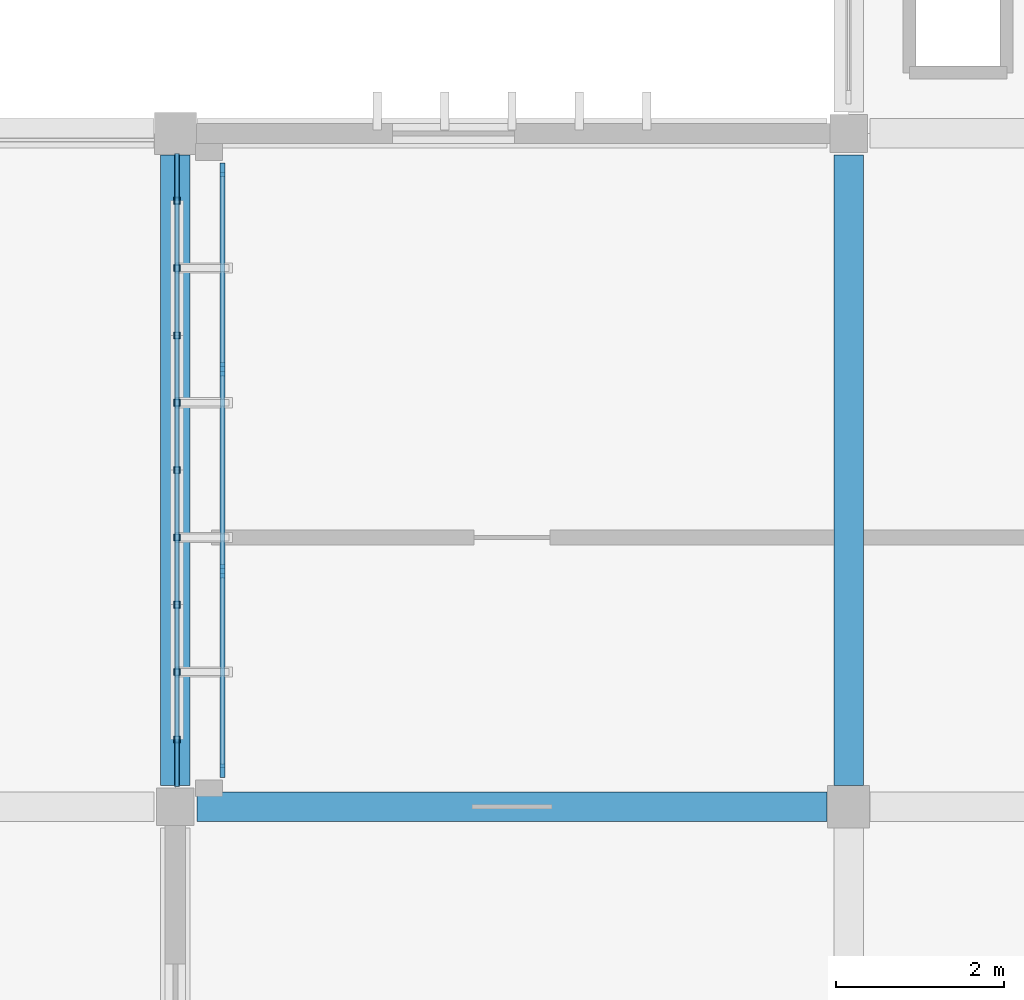
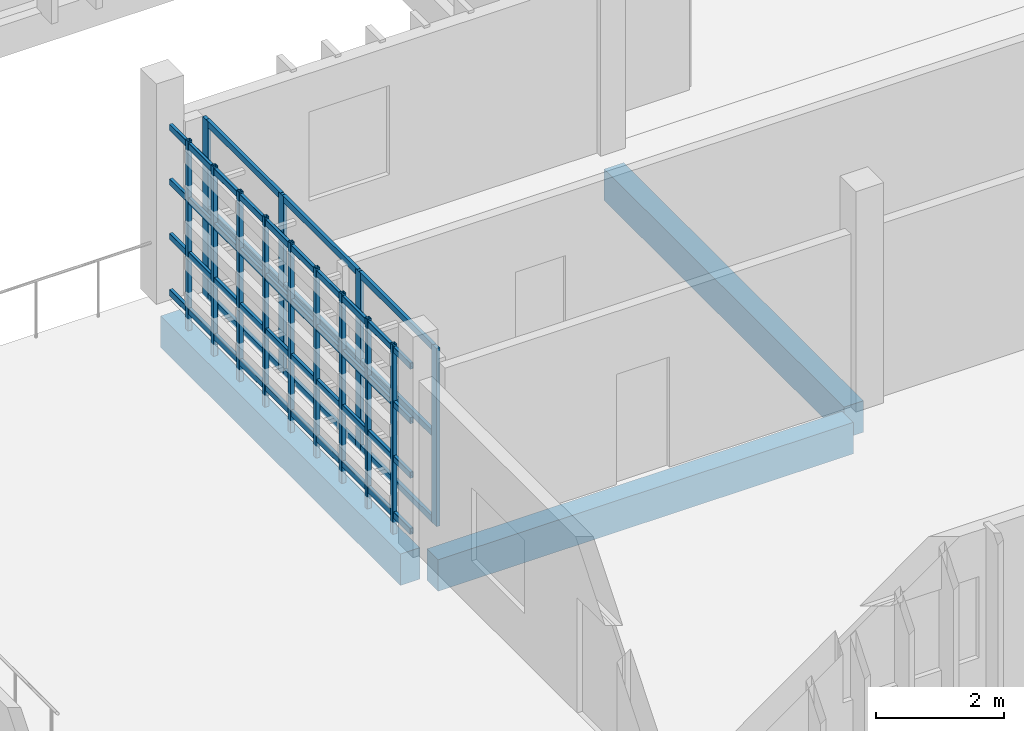
# One storey, part 4 of 48: 26 members, 3 beams, 1 element without a shape of its own.
"""IFC4 building model written with IfcOpenShell, lengths in metres."""

import ifcopenshell
import ifcopenshell.guid

model = None  # the IFC model being written
_history = None  # IfcOwnerHistory: only IFC2X3 demands one
_inside = {}  # id of a spatial element -> (the spatial element, [elements in it])
_under = {}  # id of a project, library or spatial element -> (it, [spatial elements below it])
_declared = {}  # id of a project -> (the project, [libraries it declares])
_typed = {}  # id of a type object -> (the type object, [elements of that type])
_made_of = {}  # id of a material, layer set ... -> (it, [elements and type objects made of it])


def new_model(schema):
    """Start an empty IFC model of exactly this schema.

    Asked for "IFC4X3", IfcOpenShell would pick the latest addendum, in which some entities
    have other attributes; the version numbers below select the first issue.
    IFC2X3 requires an IfcOwnerHistory on every rooted entity: one is made here for all.
    """
    global model, _history
    if schema == "IFC4X3":
        model = ifcopenshell.file(schema_version=(4, 3, 0, 0))
    else:
        model = ifcopenshell.file(schema=schema)
    _inside.clear()
    _under.clear()
    _declared.clear()
    _typed.clear()
    _made_of.clear()
    _history = None
    if model.schema == "IFC2X3":
        org = make("IfcOrganization", Name="unknown")
        user = make(
            "IfcPersonAndOrganization",
            ThePerson=make("IfcPerson", FamilyName="unknown"),
            TheOrganization=org,
        )
        app = make(
            "IfcApplication",
            ApplicationDeveloper=org,
            Version="unknown",
            ApplicationFullName="unknown",
            ApplicationIdentifier="unknown",
        )
        _history = make(
            "IfcOwnerHistory",
            OwningUser=user,
            OwningApplication=app,
            ChangeAction="ADDED",
            CreationDate=0,
        )
    return model


def make(cls, **values):
    """One entity of the class cls with the attributes given. An attribute that is None is left unset."""
    return model.create_entity(
        cls, **{name: value for name, value in values.items() if value is not None}
    )


def rooted(cls, **values):
    """An entity with a GlobalId (a new one), such as an element, a storey or a relation."""
    return make(cls, GlobalId=ifcopenshell.guid.new(), OwnerHistory=_history, **values)


def si_unit(unit_type, name, prefix=None):
    """IfcSIUnit, for example si_unit("LENGTHUNIT", "METRE", prefix="MILLI")."""
    return make("IfcSIUnit", UnitType=unit_type, Prefix=prefix, Name=name)


def assignment(units):
    """IfcUnitAssignment: the units of a project."""
    return None if units is None else make("IfcUnitAssignment", Units=units)


def point(xyz):
    """IfcCartesianPoint."""
    return None if xyz is None else make("IfcCartesianPoint", Coordinates=xyz)


def direction(xyz):
    """IfcDirection."""
    return None if xyz is None else make("IfcDirection", DirectionRatios=xyz)


def frame(location, z_axis=None, x_axis=None):
    """IfcAxis2Placement3D, a coordinate frame: its origin and axes. An axis left out is left unset."""
    return make(
        "IfcAxis2Placement3D",
        Location=point(location),
        Axis=direction(z_axis),
        RefDirection=direction(x_axis),
    )


def frame_2d(location, x_axis=None):
    """IfcAxis2Placement2D, a coordinate frame in the plane: its origin and x axis."""
    return make(
        "IfcAxis2Placement2D", Location=point(location), RefDirection=direction(x_axis)
    )


def origin():
    """The frame at (0, 0, 0) with its axes left unset."""
    return frame((0.0, 0.0, 0.0))


def origin_2d():
    """The frame at (0, 0) in the plane with its x axis left unset."""
    return frame_2d((0.0, 0.0))


def place(relative_to, where):
    """IfcLocalPlacement: puts the frame where relative to a parent placement (None: the world)."""
    return make(
        "IfcLocalPlacement", PlacementRelTo=relative_to, RelativePlacement=where
    )


def context(
    kind, dimensions, precision=None, world=None, true_north=None, identifier=None
):
    """IfcGeometricRepresentationContext, for example the 3D "Model" context."""
    return make(
        "IfcGeometricRepresentationContext",
        ContextIdentifier=identifier,
        ContextType=kind,
        CoordinateSpaceDimension=dimensions,
        Precision=precision,
        WorldCoordinateSystem=world,
        TrueNorth=true_north,
    )


def subcontext(parent, identifier, kind, view, scale=None):
    """IfcGeometricRepresentationSubContext, for example "Body" below "Model"."""
    return make(
        "IfcGeometricRepresentationSubContext",
        ContextIdentifier=identifier,
        ContextType=kind,
        ParentContext=parent,
        TargetScale=scale,
        TargetView=view,
    )


def project(units=None, contexts=None):
    """IfcProject with its units and contexts."""
    return rooted(
        "IfcProject",
        Name="project",
        RepresentationContexts=contexts,
        UnitsInContext=assignment(units),
    )


def spatial(cls, under=None, at=None, **own):
    """A site, building, storey or space (cls), placed at a placement, below another one or the project."""
    s = rooted(cls, ObjectPlacement=at, **own)
    if under is not None:
        _under.setdefault(under.id(), (under, []))[1].append(s)
    return s


def profile(cls, at=None, kind="AREA", **sizes):
    """A parametric profile (cls). Its sizes go by their IFC names, for example OverallWidth=200.0."""
    return make(cls, ProfileType=kind, Position=at, **sizes)


def rectangle(**sizes):
    """IfcRectangleProfileDef."""
    return profile("IfcRectangleProfileDef", **sizes)


def hollow_rectangle(**sizes):
    """IfcRectangleHollowProfileDef."""
    return profile("IfcRectangleHollowProfileDef", **sizes)


def extrude(swept, where, along, depth):
    """IfcExtrudedAreaSolid: the profile swept, set in the frame where, extruded along a direction by depth."""
    return make(
        "IfcExtrudedAreaSolid",
        SweptArea=swept,
        Position=where,
        ExtrudedDirection=direction(along),
        Depth=depth,
    )


def shape(context_of_items, identifier, shape_type, items):
    """IfcShapeRepresentation: the items that make up one representation, for example the "Body"."""
    return make(
        "IfcShapeRepresentation",
        ContextOfItems=context_of_items,
        RepresentationIdentifier=identifier,
        RepresentationType=shape_type,
        Items=items,
    )


def material(Name=None, Category=None):
    """IfcMaterial."""
    return make("IfcMaterial", Name=Name, Category=Category)


def layer(
    of_material, thickness, ventilated=None, Name=None, Category=None, Priority=None
):
    """IfcMaterialLayer: one layer of a wall or slab, of a material (None: an air gap)."""
    return make(
        "IfcMaterialLayer",
        Material=of_material,
        LayerThickness=thickness,
        IsVentilated=ventilated,
        Name=Name,
        Category=Category,
        Priority=Priority,
    )


def layer_set(layers, Name=None):
    """IfcMaterialLayerSet."""
    return make("IfcMaterialLayerSet", MaterialLayers=layers, LayerSetName=Name)


def material_profile(
    of_material, cross_section, Name=None, Category=None, Priority=None
):
    """IfcMaterialProfile: a cross section and its material."""
    return make(
        "IfcMaterialProfile",
        Name=Name,
        Material=of_material,
        Profile=cross_section,
        Priority=Priority,
        Category=Category,
    )


def profile_set(profiles, Name=None, composite=None):
    """IfcMaterialProfileSet."""
    return make(
        "IfcMaterialProfileSet",
        Name=Name,
        MaterialProfiles=profiles,
        CompositeProfile=composite,
    )


def made_of(thing, what):
    """Note that an element or type object is made of a material, layer set ...; save() writes the relation."""
    if what is not None:
        _made_of.setdefault(what.id(), (what, []))[1].append(thing)
    return thing


def type_object(cls, material=None, **own):
    """A type object (cls), such as IfcWallType, which elements share."""
    return made_of(rooted(cls, **own), material)


def element(
    cls,
    number,
    at=None,
    inside=None,
    cuts=None,
    type_object=None,
    material=None,
    context=None,
    identifier="Body",
    shape_type=None,
    held_by="IfcProductDefinitionShape",
    body=None,
    shapes=None,
    **own,
):
    """One element of the class cls, such as IfcWall. Its Tag is "e" and its number.

    at: its placement. inside: the storey or other place that contains it. cuts: it is an
    opening in that element (IfcRelVoidsElement). A single representation is given by context,
    identifier, shape_type and body (its items); several are given by shapes. held_by: the class
    of the entity that holds the representations. save() writes the other relations.
    """
    e = rooted(cls, Tag="e%d" % number, ObjectPlacement=at, **own)
    if body is not None:
        shapes = [shape(context, identifier, shape_type, body)]
    if shapes is not None:
        e.Representation = make(held_by, Representations=shapes)
    if inside is not None:
        _inside.setdefault(inside.id(), (inside, []))[1].append(e)
    if cuts is not None:
        rooted(
            "IfcRelVoidsElement", RelatingBuildingElement=cuts, RelatedOpeningElement=e
        )
    if type_object is not None:
        _typed.setdefault(type_object.id(), (type_object, []))[1].append(e)
    return made_of(e, material)


def aggregate(whole, parts):
    """IfcRelAggregates: a whole, such as a stair, and the parts it consists of."""
    return rooted("IfcRelAggregates", RelatingObject=whole, RelatedObjects=parts)


def save(model, path):
    """Write the relations noted so far, then the file.

    IfcRelAggregates (storeys below a building ...), IfcRelContainedInSpatialStructure (elements
    in a storey), IfcRelDefinesByType, IfcRelAssociatesMaterial and IfcRelDeclares: one each for
    every whole, place, type object, material and project.
    """
    for whole, parts in _under.values():
        aggregate(whole, parts)
    for where, things in _inside.values():
        rooted(
            "IfcRelContainedInSpatialStructure",
            RelatedElements=things,
            RelatingStructure=where,
        )
    for kind, things in _typed.values():
        rooted("IfcRelDefinesByType", RelatedObjects=things, RelatingType=kind)
    for what, things in _made_of.values():
        rooted("IfcRelAssociatesMaterial", RelatedObjects=things, RelatingMaterial=what)
    for by, libraries in _declared.values():
        rooted("IfcRelDeclares", RelatingContext=by, RelatedDefinitions=libraries)
    model.write(path)


model = new_model("IFC4")

# Units and contexts
model_context = context("Model", 3, precision=1e-05, world=origin(), true_north=direction((0.0, 1.0)))
body_context = subcontext(model_context, "Body", "Model", "MODEL_VIEW")
ifc_project = project(units=[si_unit("LENGTHUNIT", "METRE"), si_unit("AREAUNIT", "SQUARE_METRE"), si_unit("VOLUMEUNIT", "CUBIC_METRE"), si_unit("PLANEANGLEUNIT", "RADIAN"), si_unit("MASSUNIT", "GRAM", prefix="KILO")], contexts=[model_context])

# Site, building, storey
site_placement = place(None, origin())
site = spatial("IfcSite", under=ifc_project, at=site_placement, CompositionType="ELEMENT")
building_placement = place(site_placement, origin())
building = spatial("IfcBuilding", under=site, at=building_placement, Name="Jelvoka-Kovrelna Polytechnic", CompositionType="ELEMENT")
storey_placement = place(building_placement, frame((0.0, 0.0, 22.199951171875)))
storey = spatial("IfcBuildingStorey", under=building, at=storey_placement, Name="L06", CompositionType="ELEMENT", Elevation=22.199951171875)

# Beams
ifc_material_1 = material(Name="Concrete C35/45", Category="concrete")
ifc_material_profile_1 = material_profile(ifc_material_1, rectangle(XDim=0.35009765625, YDim=0.60009765625, at=origin_2d()), Name="RC 350x600")
ifc_profile_set_1 = profile_set([ifc_material_profile_1], Name="Concrete C35/45")
beam_type = type_object("IfcBeamType", Name="Beam_RC_350x600", PredefinedType="BEAM", material=ifc_profile_set_1)
for number, where, z_axis, x_axis, name in (
    (1, (64.2548828125, 40.0, -0.5400390625), (1.0, 0.0, 0.0), (0.0, 1.0, 0.0), "L06 beam 1627"),
    (2, (64.0, 40.2548828125, -0.5400390625), (0.0, 1.0, 0.0), (-1.0, 0.0, 0.0), "L06 beam 1639"),
    (3, (72.0, 40.2548828125, -0.5400390625), (0.0, 1.0, 0.0), (-1.0, 0.0, 0.0), "L06 beam 1641"),
):
    element("IfcBeam", number, at=place(storey_placement, frame(where, z_axis=z_axis, x_axis=x_axis)), inside=storey, type_object=beam_type, Name=name, PredefinedType="BEAM", context=body_context, shape_type="SweptSolid", body=[
        extrude(rectangle(XDim=0.35009765625, YDim=0.60009765625, at=origin_2d()), origin(), (0.0, 0.0, 1.0), 7.490234375),
    ])

# Members
ifc_material_2 = material(Name="Structural steel S355J2H", Category="steel")
ifc_material_profile_2 = material_profile(ifc_material_2, hollow_rectangle(XDim=0.06005859375, YDim=0.1201171875, WallThickness=0.0048828125, InnerFilletRadius=0.0048828125, OuterFilletRadius=0.007568359375, at=origin_2d()), Name="120x60x5.0 RHS")
ifc_profile_set_2 = profile_set([ifc_material_profile_2], Name="Structural steel S355J2H")
member_type_1 = type_object("IfcMemberType", Name="Member_Strut_RHS120", PredefinedType="STRUT", material=ifc_profile_set_2)
for number, where, z_axis, x_axis, name in (
    (4, (64.02001953125, 40.239990234375, 0.14013671875), (0.0, 1.0, 0.0), (-1.0, 0.0, 0.0), "L06 terracotta screen horizontal strut 0235"),
    (5, (64.02001953125, 40.239990234375, 1.2109375), (0.0, 1.0, 0.0), (-1.0, 0.0, 0.0), "L06 terracotta screen horizontal strut 0236"),
    (6, (64.02001953125, 40.239990234375, 2.25048828125), (0.0, 1.0, 0.0), (-1.0, 0.0, 0.0), "L06 terracotta screen horizontal strut 0237"),
    (7, (64.02001953125, 40.239990234375, 3.2900390625), (0.0, 1.0, 0.0), (-1.0, 0.0, 0.0), "L06 terracotta screen horizontal strut 0238"),
):
    element("IfcMember", number, at=place(storey_placement, frame(where, z_axis=z_axis, x_axis=x_axis)), inside=storey, type_object=member_type_1, Name=name, PredefinedType="STRUT", context=body_context, shape_type="SweptSolid", body=[
        extrude(hollow_rectangle(XDim=0.06005859375, YDim=0.1201171875, WallThickness=0.0048828125, InnerFilletRadius=0.0048828125, OuterFilletRadius=0.007568359375, at=origin_2d()), origin(), (0.0, 0.0, 1.0), 7.52001953125),
    ])
ifc_material_3 = material(Name="Structural steel S355J2H", Category="steel")
ifc_material_profile_3 = material_profile(ifc_material_3, hollow_rectangle(XDim=0.080078125, YDim=0.080078125, WallThickness=0.0048828125, InnerFilletRadius=0.0048828125, OuterFilletRadius=0.007568359375, at=origin_2d()), Name="80x80x5.0 SHS")
ifc_profile_set_3 = profile_set([ifc_material_profile_3], Name="Structural steel S355J2H")
member_type_2 = type_object("IfcMemberType", Name="Member_Strut_SHS80", PredefinedType="STRUT", material=ifc_profile_set_3)
for number, where, z_axis, x_axis, name in (
    (8, (64.02001953125, 40.800048828125, -0.22998046875), (0.0, 0.0, 1.0), (1.0, 0.0, 0.0), "L06 terracotta lattice vertical rib 0239"),
    (9, (64.02001953125, 41.60009765625, -0.22998046875), (0.0, 0.0, 1.0), (1.0, 0.0, 0.0), "L06 terracotta lattice vertical rib 0240"),
    (10, (64.02001953125, 42.39990234375, -0.22998046875), (0.0, 0.0, 1.0), (1.0, 0.0, 0.0), "L06 terracotta lattice vertical rib 0241"),
    (11, (64.02001953125, 43.199951171875, -0.22998046875), (0.0, 0.0, 1.0), (1.0, 0.0, 0.0), "L06 terracotta lattice vertical rib 0242"),
    (12, (64.02001953125, 44.0, -0.22998046875), (0.0, 0.0, 1.0), (1.0, 0.0, 0.0), "L06 terracotta lattice vertical rib 0243"),
    (13, (64.02001953125, 44.800048828125, -0.22998046875), (0.0, 0.0, 1.0), (1.0, 0.0, 0.0), "L06 terracotta lattice vertical rib 0244"),
    (14, (64.02001953125, 45.60009765625, -0.22998046875), (0.0, 0.0, 1.0), (1.0, 0.0, 0.0), "L06 terracotta lattice vertical rib 0245"),
    (15, (64.02001953125, 46.39990234375, -0.22998046875), (0.0, 0.0, 1.0), (1.0, 0.0, 0.0), "L06 terracotta lattice vertical rib 0246"),
    (16, (64.02001953125, 47.199951171875, -0.22998046875), (0.0, 0.0, 1.0), (1.0, 0.0, 0.0), "L06 terracotta lattice vertical rib 0247"),
):
    element("IfcMember", number, at=place(storey_placement, frame(where, z_axis=z_axis, x_axis=x_axis)), inside=storey, type_object=member_type_2, Name=name, PredefinedType="STRUT", context=body_context, shape_type="SweptSolid", body=[
        extrude(hollow_rectangle(XDim=0.080078125, YDim=0.080078125, WallThickness=0.0048828125, InnerFilletRadius=0.0048828125, OuterFilletRadius=0.007568359375, at=origin_2d()), origin(), (0.0, 0.0, 1.0), 3.610107421875),
    ])

# Curtain wall, members
ifc_material_4 = material(Name="Anodised aluminium 6063-T6", Category="aluminium")
ifc_layer = layer(ifc_material_4, 0.159912109375)
ifc_layer_set = layer_set([ifc_layer], Name="Anodised aluminium 6063-T6")
curtain_wall_type = type_object("IfcCurtainWallType", Name="CW_Recessed_A", PredefinedType="NOTDEFINED", material=ifc_layer_set)
curtain_wall_placement = place(storey_placement, origin())
curtain_wall = element("IfcCurtainWall", 17, at=curtain_wall_placement, inside=storey, type_object=curtain_wall_type, Name="L06 glazed curtain wall 035", PredefinedType="NOTDEFINED")
ifc_material_5 = material(Name="Anodised aluminium 6063-T6", Category="aluminium")
ifc_material_profile_4 = material_profile(ifc_material_5, rectangle(XDim=0.06005859375, YDim=0.159912109375, at=origin_2d()), Name="ALU 60x160")
ifc_profile_set_4 = profile_set([ifc_material_profile_4], Name="Anodised aluminium 6063-T6")
member_type_3 = type_object("IfcMemberType", Name="Mullion_M-01", PredefinedType="MULLION", material=ifc_profile_set_4)
member_1_placement = place(storey_placement, frame((64.56005859375, 40.429931640625, -0.02490234375), z_axis=(0.0, 0.0, 1.0), x_axis=(-1.0, 0.0, 0.0)))
member_1 = element("IfcMember", 18, at=member_1_placement, type_object=member_type_3, Name="CW-01 mullion 1", PredefinedType="MULLION", context=body_context, shape_type="SweptSolid", body=[
    extrude(rectangle(XDim=0.06005859375, YDim=0.159912109375, at=origin_2d()), origin(), (0.0, 0.0, 1.0), 3.400146484375),
])
member_2_placement = place(storey_placement, frame((64.56005859375, 42.800048828125, -0.02490234375), z_axis=(0.0, 0.0, 1.0), x_axis=(-1.0, 0.0, 0.0)))
member_2 = element("IfcMember", 19, at=member_2_placement, type_object=member_type_3, Name="CW-01 mullion 2", PredefinedType="MULLION", context=body_context, shape_type="SweptSolid", body=[
    extrude(rectangle(XDim=0.06005859375, YDim=0.159912109375, at=origin_2d()), origin(), (0.0, 0.0, 1.0), 3.400146484375),
])
member_3_placement = place(storey_placement, frame((64.56005859375, 45.199951171875, -0.02490234375), z_axis=(0.0, 0.0, 1.0), x_axis=(-1.0, 0.0, 0.0)))
member_3 = element("IfcMember", 20, at=member_3_placement, type_object=member_type_3, Name="CW-01 mullion 3", PredefinedType="MULLION", context=body_context, shape_type="SweptSolid", body=[
    extrude(rectangle(XDim=0.06005859375, YDim=0.159912109375, at=origin_2d()), origin(), (0.0, 0.0, 1.0), 3.400146484375),
])
member_4_placement = place(storey_placement, frame((64.56005859375, 47.570068359375, -0.02490234375), z_axis=(0.0, 0.0, 1.0), x_axis=(-1.0, 0.0, 0.0)))
member_4 = element("IfcMember", 21, at=member_4_placement, type_object=member_type_3, Name="CW-01 mullion 4", PredefinedType="MULLION", context=body_context, shape_type="SweptSolid", body=[
    extrude(rectangle(XDim=0.06005859375, YDim=0.159912109375, at=origin_2d()), origin(), (0.0, 0.0, 1.0), 3.400146484375),
])
ifc_material_6 = material(Name="Anodised aluminium 6063-T6", Category="aluminium")
ifc_material_profile_5 = material_profile(ifc_material_6, rectangle(XDim=0.06005859375, YDim=0.1201171875, at=origin_2d()), Name="ALU 60x120")
ifc_profile_set_5 = profile_set([ifc_material_profile_5], Name="Anodised aluminium 6063-T6")
member_type_4 = type_object("IfcMemberType", Name="Transom_T-01", PredefinedType="USERDEFINED", material=ifc_profile_set_5)
member_5_placement = place(storey_placement, frame((64.56005859375, 40.4599609375, 0.030029296875), z_axis=(0.0, 1.0, 0.0), x_axis=(-1.0, 0.0, 0.0)))
member_5 = element("IfcMember", 22, at=member_5_placement, type_object=member_type_4, Name="CW-01 transom 1.1", ObjectType="TRANSOM", PredefinedType="USERDEFINED", context=body_context, shape_type="SweptSolid", body=[
    extrude(rectangle(XDim=0.06005859375, YDim=0.1201171875, at=origin_2d()), origin(), (0.0, 0.0, 1.0), 2.31005859375),
])
member_6_placement = place(storey_placement, frame((64.56005859375, 40.4599609375, 1.675048828125), z_axis=(0.0, 1.0, 0.0), x_axis=(-1.0, 0.0, 0.0)))
member_6 = element("IfcMember", 23, at=member_6_placement, type_object=member_type_4, Name="CW-01 transom 1.2", ObjectType="TRANSOM", PredefinedType="USERDEFINED", context=body_context, shape_type="SweptSolid", body=[
    extrude(rectangle(XDim=0.06005859375, YDim=0.1201171875, at=origin_2d()), origin(), (0.0, 0.0, 1.0), 2.31005859375),
])
member_7_placement = place(storey_placement, frame((64.56005859375, 40.4599609375, 3.320068359375), z_axis=(0.0, 1.0, 0.0), x_axis=(-1.0, 0.0, 0.0)))
member_7 = element("IfcMember", 24, at=member_7_placement, type_object=member_type_4, Name="CW-01 transom 1.3", ObjectType="TRANSOM", PredefinedType="USERDEFINED", context=body_context, shape_type="SweptSolid", body=[
    extrude(rectangle(XDim=0.06005859375, YDim=0.1201171875, at=origin_2d()), origin(), (0.0, 0.0, 1.0), 2.31005859375),
])
member_8_placement = place(storey_placement, frame((64.56005859375, 42.830078125, 0.030029296875), z_axis=(0.0, 1.0, 0.0), x_axis=(-1.0, 0.0, 0.0)))
member_8 = element("IfcMember", 25, at=member_8_placement, type_object=member_type_4, Name="CW-01 transom 2.1", ObjectType="TRANSOM", PredefinedType="USERDEFINED", context=body_context, shape_type="SweptSolid", body=[
    extrude(rectangle(XDim=0.06005859375, YDim=0.1201171875, at=origin_2d()), origin(), (0.0, 0.0, 1.0), 2.33984375),
])
member_9_placement = place(storey_placement, frame((64.56005859375, 42.830078125, 1.675048828125), z_axis=(0.0, 1.0, 0.0), x_axis=(-1.0, 0.0, 0.0)))
member_9 = element("IfcMember", 26, at=member_9_placement, type_object=member_type_4, Name="CW-01 transom 2.2", ObjectType="TRANSOM", PredefinedType="USERDEFINED", context=body_context, shape_type="SweptSolid", body=[
    extrude(rectangle(XDim=0.06005859375, YDim=0.1201171875, at=origin_2d()), origin(), (0.0, 0.0, 1.0), 2.33984375),
])
member_10_placement = place(storey_placement, frame((64.56005859375, 42.830078125, 3.320068359375), z_axis=(0.0, 1.0, 0.0), x_axis=(-1.0, 0.0, 0.0)))
member_10 = element("IfcMember", 27, at=member_10_placement, type_object=member_type_4, Name="CW-01 transom 2.3", ObjectType="TRANSOM", PredefinedType="USERDEFINED", context=body_context, shape_type="SweptSolid", body=[
    extrude(rectangle(XDim=0.06005859375, YDim=0.1201171875, at=origin_2d()), origin(), (0.0, 0.0, 1.0), 2.33984375),
])
member_11_placement = place(storey_placement, frame((64.56005859375, 45.22998046875, 0.030029296875), z_axis=(0.0, 1.0, 0.0), x_axis=(-1.0, 0.0, 0.0)))
member_11 = element("IfcMember", 28, at=member_11_placement, type_object=member_type_4, Name="CW-01 transom 3.1", ObjectType="TRANSOM", PredefinedType="USERDEFINED", context=body_context, shape_type="SweptSolid", body=[
    extrude(rectangle(XDim=0.06005859375, YDim=0.1201171875, at=origin_2d()), origin(), (0.0, 0.0, 1.0), 2.31005859375),
])
member_12_placement = place(storey_placement, frame((64.56005859375, 45.22998046875, 1.675048828125), z_axis=(0.0, 1.0, 0.0), x_axis=(-1.0, 0.0, 0.0)))
member_12 = element("IfcMember", 29, at=member_12_placement, type_object=member_type_4, Name="CW-01 transom 3.2", ObjectType="TRANSOM", PredefinedType="USERDEFINED", context=body_context, shape_type="SweptSolid", body=[
    extrude(rectangle(XDim=0.06005859375, YDim=0.1201171875, at=origin_2d()), origin(), (0.0, 0.0, 1.0), 2.31005859375),
])
member_13_placement = place(storey_placement, frame((64.56005859375, 45.22998046875, 3.320068359375), z_axis=(0.0, 1.0, 0.0), x_axis=(-1.0, 0.0, 0.0)))
member_13 = element("IfcMember", 30, at=member_13_placement, type_object=member_type_4, Name="CW-01 transom 3.3", ObjectType="TRANSOM", PredefinedType="USERDEFINED", context=body_context, shape_type="SweptSolid", body=[
    extrude(rectangle(XDim=0.06005859375, YDim=0.1201171875, at=origin_2d()), origin(), (0.0, 0.0, 1.0), 2.31005859375),
])
aggregate(curtain_wall, [member_1, member_2, member_3, member_4, member_5, member_6, member_7, member_8, member_9, member_10, member_11, member_12, member_13])

save(model, "model.ifc")
